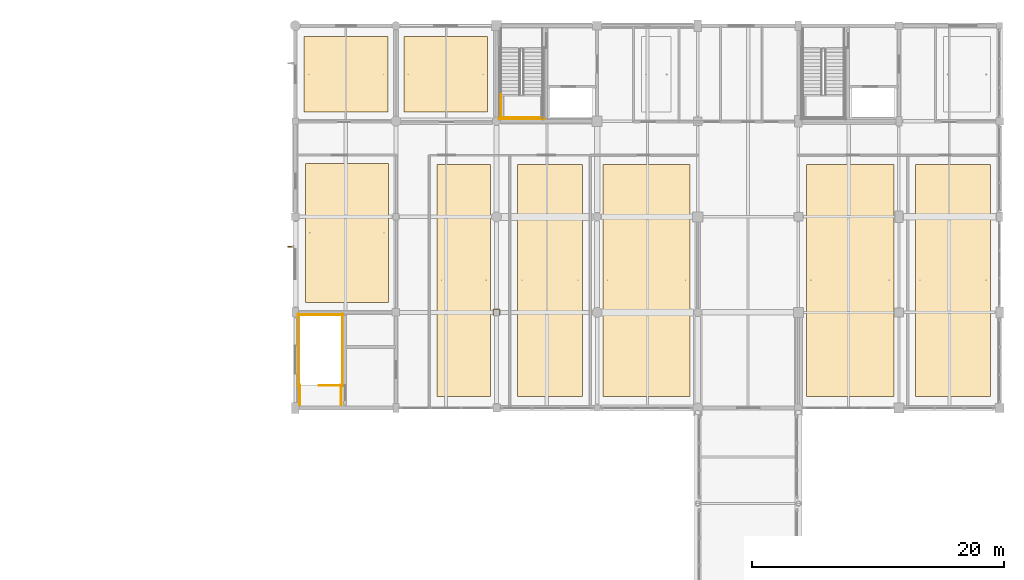
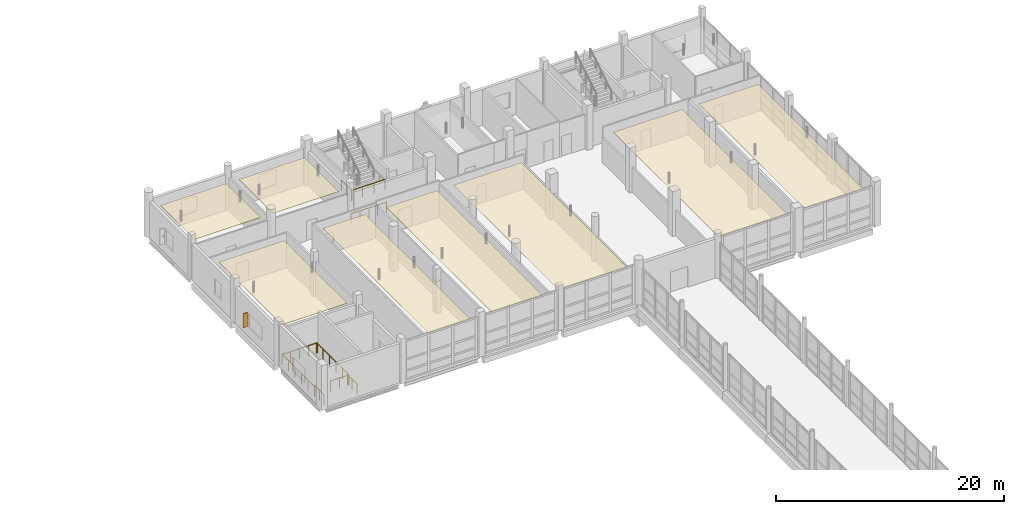
# One storey, part 145 of 147: 9 railings, 8 coverings, 1 shading device.
"""IFC4 building model written with IfcOpenShell, lengths in metres."""

from ifc_helpers import new_model, si_unit, direction, frame, origin, origin_2d, place, context, subcontext, project, spatial, polyline, rectangle, circle, outline, extrude, material, layer, layer_set, type_object, element, save


model = new_model("IFC4")

# Units and contexts
model_context = context("Model", 3, precision=1e-05, world=origin(), true_north=direction((0.0, 1.0)))
body_context = subcontext(model_context, "Body", "Model", "MODEL_VIEW")
ifc_project = project(units=[si_unit("LENGTHUNIT", "METRE"), si_unit("AREAUNIT", "SQUARE_METRE"), si_unit("VOLUMEUNIT", "CUBIC_METRE"), si_unit("PLANEANGLEUNIT", "RADIAN"), si_unit("MASSUNIT", "GRAM", prefix="KILO")], contexts=[model_context])

# Site, building, storey
site_placement = place(None, origin())
site = spatial("IfcSite", under=ifc_project, at=site_placement, CompositionType="ELEMENT")
building_placement = place(site_placement, origin())
building = spatial("IfcBuilding", under=site, at=building_placement, Name="Khelvaren Railside Concert Hall", CompositionType="ELEMENT")
storey_placement = place(building_placement, frame((0.0, 0.0, 5.39990234375)))
storey = spatial("IfcBuildingStorey", under=building, at=storey_placement, Name="L01", CompositionType="ELEMENT", Elevation=5.39990234375)

# Coverings
ifc_material_1 = material(Name="Mineral-wool acoustic baffle ceiling", Category="gypsum")
ifc_layer_1 = layer(ifc_material_1, 0.0400390625)
ifc_layer_set_1 = layer_set([ifc_layer_1], Name="Mineral-wool acoustic baffle ceiling")
covering_type_1 = type_object("IfcCoveringType", Name="CLG20", PredefinedType="CEILING", material=ifc_layer_set_1)
covering_1_placement = place(storey_placement, frame((0.0, 0.0, 3.41015625)))
element("IfcCovering", 1, at=covering_1_placement, inside=storey, type_object=covering_type_1, Name="Suspended Acoustic Ceiling Stage Wing Wardrobe Annex", PredefinedType="CEILING", context=body_context, shape_type="SweptSolid", body=[
    extrude(outline(polyline([(128.800048828125, 92.0), (135.39990234375, 92.0), (135.39990234375, 103.050048828125), (128.800048828125, 103.050048828125), (128.800048828125, 92.0)])), origin(), (0.0, 0.0, 1.0), 0.0400390625),
])
covering_2_placement = place(storey_placement, frame((0.0, 0.0, 3.41015625)))
element("IfcCovering", 2, at=covering_2_placement, inside=storey, type_object=covering_type_1, Name="Suspended Acoustic Ceiling Principal Soloist Dressing Suite 3", PredefinedType="CEILING", context=body_context, shape_type="SweptSolid", body=[
    extrude(outline(polyline([(145.68505859375, 84.530029296875), (150.830078125, 84.530029296875), (150.830078125, 102.969970703125), (145.68505859375, 102.969970703125), (145.68505859375, 84.530029296875)])), origin(), (0.0, 0.0, 1.0), 0.0400390625),
])
covering_3_placement = place(storey_placement, frame((0.0, 0.0, 3.41015625)))
element("IfcCovering", 3, at=covering_3_placement, inside=storey, type_object=covering_type_1, Name="Suspended Acoustic Ceiling Chorus Dressing Room Female", PredefinedType="CEILING", context=body_context, shape_type="SweptSolid", body=[
    extrude(outline(polyline([(168.6298828125, 84.530029296875), (175.5849609375, 84.530029296875), (175.5849609375, 102.969970703125), (168.6298828125, 102.969970703125), (168.6298828125, 84.530029296875)])), origin(), (0.0, 0.0, 1.0), 0.0400390625),
])
covering_4_placement = place(storey_placement, frame((0.0, 0.0, 3.41015625)))
element("IfcCovering", 4, at=covering_4_placement, inside=storey, type_object=covering_type_1, Name="Suspended Acoustic Ceiling Instrument Repair Studio L01", PredefinedType="CEILING", context=body_context, shape_type="SweptSolid", body=[
    extrude(outline(polyline([(128.7099609375, 107.1298828125), (135.3701171875, 107.1298828125), (135.3701171875, 113.1201171875), (128.7099609375, 113.1201171875), (128.7099609375, 107.1298828125)])), origin(), (0.0, 0.0, 1.0), 0.0400390625),
])
ifc_material_2 = material(Name="Micro-perforated timber acoustic ceiling", Category="wood")
ifc_layer_2 = layer(ifc_material_2, 0.030029296875)
ifc_layer_set_2 = layer_set([ifc_layer_2], Name="Micro-perforated timber acoustic ceiling")
covering_type_2 = type_object("IfcCoveringType", Name="CLG77", PredefinedType="CEILING", material=ifc_layer_set_2)
covering_5_placement = place(storey_placement, frame((0.0, 0.0, 3.420166015625)))
element("IfcCovering", 5, at=covering_5_placement, inside=storey, type_object=covering_type_2, Name="Suspended Acoustic Ceiling Principal Soloist Dressing Suite 2", PredefinedType="CEILING", context=body_context, shape_type="SweptSolid", body=[
    extrude(outline(polyline([(139.280029296875, 84.530029296875), (143.534912109375, 84.530029296875), (143.534912109375, 102.969970703125), (139.280029296875, 102.969970703125), (139.280029296875, 84.530029296875)]), holes=[polyline([(143.735107421875, 90.93505859375), (144.264892578125, 90.93505859375), (144.264892578125, 91.465087890625), (143.735107421875, 91.465087890625), (143.735107421875, 90.93505859375)])]), origin(), (0.0, 0.0, 1.0), 0.030029296875),
])
covering_6_placement = place(storey_placement, frame((0.0, 0.0, 3.420166015625)))
element("IfcCovering", 6, at=covering_6_placement, inside=storey, type_object=covering_type_2, Name="Suspended Acoustic Ceiling Chorus Dressing Room Male", PredefinedType="CEILING", context=body_context, shape_type="SweptSolid", body=[
    extrude(outline(polyline([(152.465087890625, 84.530029296875), (159.3701171875, 84.530029296875), (159.3701171875, 102.969970703125), (152.465087890625, 102.969970703125), (152.465087890625, 84.530029296875)])), origin(), (0.0, 0.0, 1.0), 0.030029296875),
])
covering_7_placement = place(storey_placement, frame((0.0, 0.0, 3.420166015625)))
element("IfcCovering", 7, at=covering_7_placement, inside=storey, type_object=covering_type_2, Name="Suspended Acoustic Ceiling Wardrobe and Costume Pressing Room", PredefinedType="CEILING", context=body_context, shape_type="SweptSolid", body=[
    extrude(outline(polyline([(177.31396484375, 84.530029296875), (183.2900390625, 84.530029296875), (183.2900390625, 102.969970703125), (177.31396484375, 102.969970703125), (177.31396484375, 84.530029296875)])), origin(), (0.0, 0.0, 1.0), 0.030029296875),
])
covering_8_placement = place(storey_placement, frame((0.0, 0.0, 3.420166015625)))
element("IfcCovering", 8, at=covering_8_placement, inside=storey, type_object=covering_type_2, Name="Suspended Acoustic Ceiling Orchestra Personnel Office L01", PredefinedType="CEILING", context=body_context, shape_type="SweptSolid", body=[
    extrude(outline(polyline([(136.6298828125, 107.1298828125), (143.2900390625, 107.1298828125), (143.2900390625, 113.1201171875), (136.6298828125, 113.1201171875), (136.6298828125, 107.1298828125)])), origin(), (0.0, 0.0, 1.0), 0.030029296875),
])

# Railings
ifc_material_3 = material(Name="Painted architectural steel", Category="steel")
railing_type = type_object("IfcRailingType", Name="GRD86", PredefinedType="GUARDRAIL", material=ifc_material_3)
railing_1_placement = place(storey_placement, frame((144.35009765625, 108.52001953125, 2.400146484375)))
element("IfcRailing", 9, at=railing_1_placement, inside=storey, type_object=railing_type, Name="L01 ST-09 stair guard 3", PredefinedType="GUARDRAIL", context=body_context, shape_type="SweptSolid", body=[
    extrude(circle(Radius=0.02392578125, at=origin_2d()), frame((0.0, 0.0, 1.076171875), z_axis=(0.0, -1.0, 0.0), x_axis=(1.0, 0.0, 0.0)), (0.0, 0.0, 1.0), 1.880126953125),
    extrude(circle(Radius=0.02099609375, at=origin_2d()), origin(), (0.0, 0.0, 1.0), 1.052001953125),
    extrude(circle(Radius=0.02099609375, at=origin_2d()), frame((0.0, -0.93994140625, 0.0)), (0.0, 0.0, 1.0), 1.052001953125),
    extrude(circle(Radius=0.02099609375, at=origin_2d()), frame((0.0, -1.880126953125, 0.0)), (0.0, 0.0, 1.0), 1.052001953125),
])
railing_2_placement = place(storey_placement, frame((144.300048828125, 106.68994140625, 2.400146484375)))
element("IfcRailing", 10, at=railing_2_placement, inside=storey, type_object=railing_type, Name="L01 ST-09 stair guard 5", PredefinedType="GUARDRAIL", context=body_context, shape_type="SweptSolid", body=[
    extrude(circle(Radius=0.02392578125, at=origin_2d()), frame((0.0, 0.0, 1.076171875), z_axis=(1.0, 0.0, 0.0), x_axis=(0.0, 1.0, 0.0)), (0.0, 0.0, 1.0), 3.39990234375),
    extrude(circle(Radius=0.02099609375, at=origin_2d()), origin(), (0.0, 0.0, 1.0), 1.052001953125),
    extrude(circle(Radius=0.02099609375, at=origin_2d()), frame((1.13330078125, 0.0, 0.0)), (0.0, 0.0, 1.0), 1.052001953125),
    extrude(circle(Radius=0.02099609375, at=origin_2d()), frame((2.2666015625, 0.0, 0.0)), (0.0, 0.0, 1.0), 1.052001953125),
    extrude(circle(Radius=0.02099609375, at=origin_2d()), frame((3.39990234375, 0.0, 0.0)), (0.0, 0.0, 1.0), 1.052001953125),
])
railing_3_placement = place(storey_placement, frame((144.199951171875, 106.590087890625, 0.0)))
element("IfcRailing", 11, at=railing_3_placement, inside=storey, type_object=railing_type, Name="L01 ST-09 stair guard 12", PredefinedType="GUARDRAIL", context=body_context, shape_type="SweptSolid", body=[
    extrude(circle(Radius=0.02392578125, at=origin_2d()), frame((0.0, 0.0, 1.076171875), z_axis=(1.0, 0.0, 0.0), x_axis=(0.0, 1.0, 0.0)), (0.0, 0.0, 1.0), 3.60009765625),
    extrude(circle(Radius=0.02099609375, at=origin_2d()), origin(), (0.0, 0.0, 1.0), 1.052001953125),
    extrude(circle(Radius=0.02099609375, at=origin_2d()), frame((0.89990234375, 0.0, 0.0)), (0.0, 0.0, 1.0), 1.052001953125),
    extrude(circle(Radius=0.02099609375, at=origin_2d()), frame((1.800048828125, 0.0, 0.0)), (0.0, 0.0, 1.0), 1.052001953125),
    extrude(circle(Radius=0.02099609375, at=origin_2d()), frame((2.7001953125, 0.0, 0.0)), (0.0, 0.0, 1.0), 1.052001953125),
    extrude(circle(Radius=0.02099609375, at=origin_2d()), frame((3.60009765625, 0.0, 0.0)), (0.0, 0.0, 1.0), 1.052001953125),
])
railing_4_placement = place(storey_placement, frame((131.699951171875, 85.389892578125, 0.0)))
element("IfcRailing", 12, at=railing_4_placement, inside=storey, type_object=railing_type, Name="L01 ST-12 top well guard 1", PredefinedType="GUARDRAIL", context=body_context, shape_type="SweptSolid", body=[
    extrude(circle(Radius=0.02392578125, at=origin_2d()), frame((0.0, 0.0, 1.076171875), z_axis=(-1.0, 0.0, 0.0), x_axis=(0.0, -1.0, 0.0)), (0.0, 0.0, 1.0), 1.800048828125),
    extrude(circle(Radius=0.02099609375, at=origin_2d()), origin(), (0.0, 0.0, 1.0), 1.052001953125),
    extrude(circle(Radius=0.02099609375, at=origin_2d()), frame((-0.89990234375, 0.0, 0.0)), (0.0, 0.0, 1.0), 1.052001953125),
    extrude(circle(Radius=0.02099609375, at=origin_2d()), frame((-1.800048828125, 0.0, 0.0)), (0.0, 0.0, 1.0), 1.052001953125),
])
for number, where, name in (
    (13, (131.75, 85.340087890625, 0.0), "L01 ST-12 top well guard 2"),
    (14, (128.25, 85.340087890625, 0.0), "L01 ST-12 top well guard 3"),
):
    element("IfcRailing", number, at=place(storey_placement, frame(where)), inside=storey, type_object=railing_type, Name=name, PredefinedType="GUARDRAIL", context=body_context, shape_type="SweptSolid", body=[
        extrude(circle(Radius=0.02392578125, at=origin_2d()), frame((0.0, 0.0, 1.076171875), z_axis=(0.0, 1.0, 0.0), x_axis=(-1.0, 0.0, 0.0)), (0.0, 0.0, 1.0), 5.719970703125),
        extrude(circle(Radius=0.02099609375, at=origin_2d()), origin(), (0.0, 0.0, 1.0), 1.052001953125),
        extrude(circle(Radius=0.02099609375, at=origin_2d()), frame((0.0, 1.14404296875, 0.0)), (0.0, 0.0, 1.0), 1.052001953125),
        extrude(circle(Radius=0.02099609375, at=origin_2d()), frame((0.0, 2.2880859375, 0.0)), (0.0, 0.0, 1.0), 1.052001953125),
        extrude(circle(Radius=0.02099609375, at=origin_2d()), frame((0.0, 3.431884765625, 0.0)), (0.0, 0.0, 1.0), 1.052001953125),
        extrude(circle(Radius=0.02099609375, at=origin_2d()), frame((0.0, 4.575927734375, 0.0)), (0.0, 0.0, 1.0), 1.052001953125),
        extrude(circle(Radius=0.02099609375, at=origin_2d()), frame((0.0, 5.719970703125, 0.0)), (0.0, 0.0, 1.0), 1.052001953125),
    ])
railing_5_placement = place(storey_placement, frame((131.800048828125, 91.010009765625, 0.0)))
element("IfcRailing", 15, at=railing_5_placement, inside=storey, type_object=railing_type, Name="L01 ST-12 top well guard 4", PredefinedType="GUARDRAIL", context=body_context, shape_type="SweptSolid", body=[
    extrude(circle(Radius=0.02392578125, at=origin_2d()), frame((0.0, 0.0, 1.076171875), z_axis=(-1.0, 0.0, 0.0), x_axis=(0.0, -1.0, 0.0)), (0.0, 0.0, 1.0), 3.60009765625),
    extrude(circle(Radius=0.02099609375, at=origin_2d()), origin(), (0.0, 0.0, 1.0), 1.052001953125),
    extrude(circle(Radius=0.02099609375, at=origin_2d()), frame((-0.89990234375, 0.0, 0.0)), (0.0, 0.0, 1.0), 1.052001953125),
    extrude(circle(Radius=0.02099609375, at=origin_2d()), frame((-1.800048828125, 0.0, 0.0)), (0.0, 0.0, 1.0), 1.052001953125),
    extrude(circle(Radius=0.02099609375, at=origin_2d()), frame((-2.7001953125, 0.0, 0.0)), (0.0, 0.0, 1.0), 1.052001953125),
    extrude(circle(Radius=0.02099609375, at=origin_2d()), frame((-3.60009765625, 0.0, 0.0)), (0.0, 0.0, 1.0), 1.052001953125),
])
for number, where, name in (
    (16, (131.64990234375, 83.840087890625, 0.0), "L01 ST-12 top well guard 5"),
    (17, (128.35009765625, 83.840087890625, 0.0), "L01 ST-12 top well guard 6"),
):
    element("IfcRailing", number, at=place(storey_placement, frame(where)), inside=storey, type_object=railing_type, Name=name, PredefinedType="GUARDRAIL", context=body_context, shape_type="SweptSolid", body=[
        extrude(circle(Radius=0.02392578125, at=origin_2d()), frame((0.0, 0.0, 1.076171875), z_axis=(0.0, 1.0, 0.0), x_axis=(-1.0, 0.0, 0.0)), (0.0, 0.0, 1.0), 1.599853515625),
        extrude(circle(Radius=0.02099609375, at=origin_2d()), origin(), (0.0, 0.0, 1.0), 1.052001953125),
        extrude(circle(Radius=0.02099609375, at=origin_2d()), frame((0.0, 0.7998046875, 0.0)), (0.0, 0.0, 1.0), 1.052001953125),
        extrude(circle(Radius=0.02099609375, at=origin_2d()), frame((0.0, 1.599853515625, 0.0)), (0.0, 0.0, 1.0), 1.052001953125),
    ])

# Shading device
ifc_material_4 = material(Name="Anodised bronze aluminium 6063-T6", Category="aluminium")
shading_device_type = type_object("IfcShadingDeviceType", Name="SFN18", PredefinedType="USERDEFINED", material=ifc_material_4)
shading_device_placement = place(storey_placement, frame((127.6298828125, 96.41748046875, 0.9501953125), z_axis=(0.0, 0.0, 1.0), x_axis=(0.0, 1.0, 0.0)))
element("IfcShadingDevice", 18, at=shading_device_placement, inside=storey, type_object=shading_device_type, Name="Bronze Solar Shading Fin EW-V5-L01-W-91", ObjectType="SOLAR FIN", PredefinedType="USERDEFINED", context=body_context, shape_type="SweptSolid", body=[
    extrude(rectangle(XDim=0.080078125, YDim=0.449951171875, at=origin_2d()), origin(), (0.0, 0.0, 1.0), 1.5),
])

save(model, "model.ifc")
